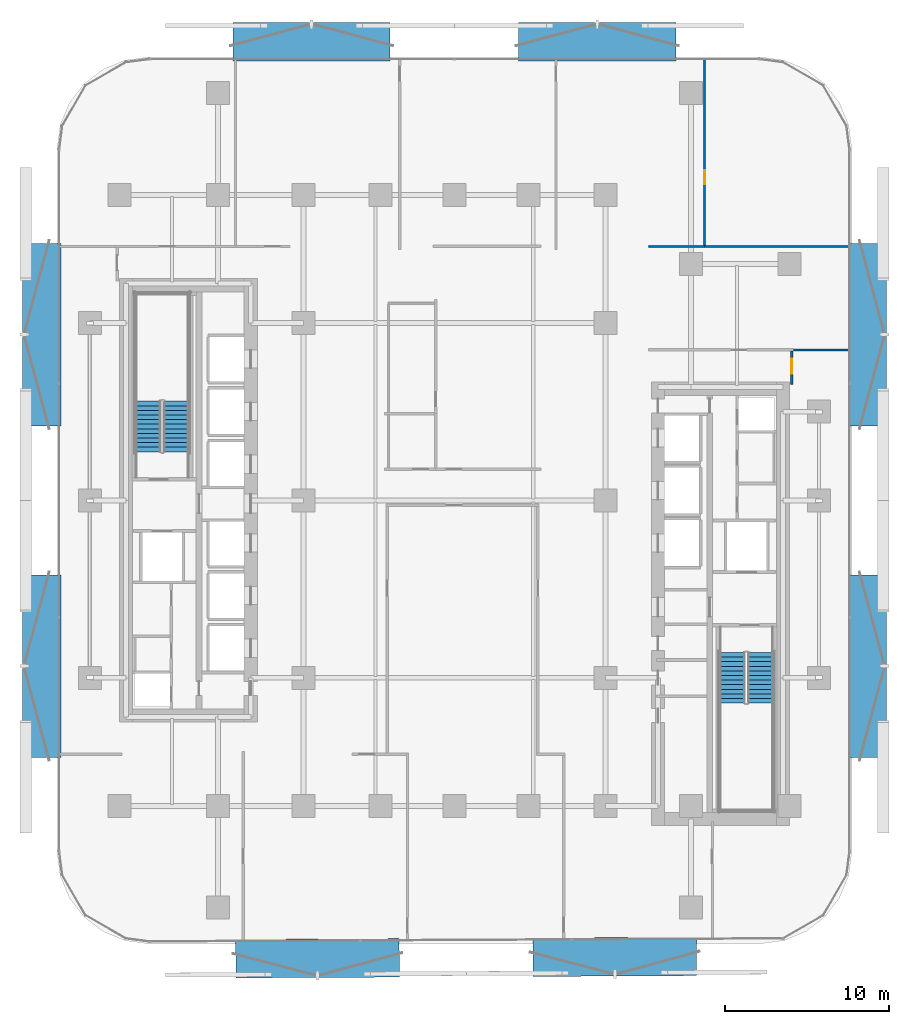
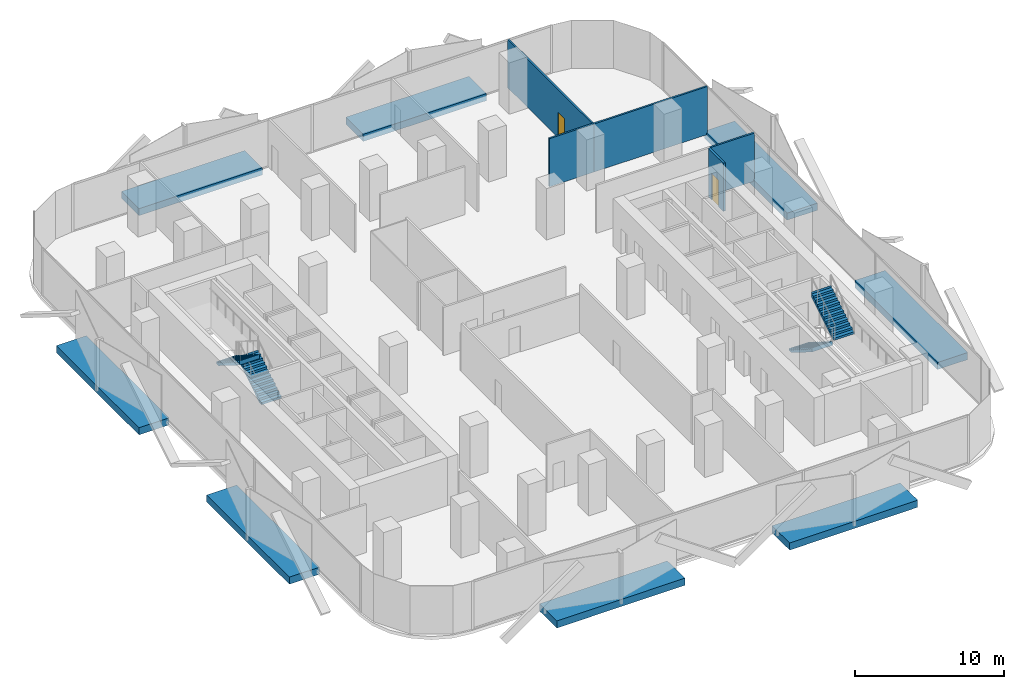
# One storey, part 6 of 15: 8 discrete accessories, 5 walls, 4 stair flights, 2 doors, 2 openings, 2 elements without a shape of their own.
"""IFC4 building model written with IfcOpenShell, lengths in metres."""

import ifcopenshell
import ifcopenshell.guid

model = None  # the IFC model being written
_history = None  # IfcOwnerHistory: only IFC2X3 demands one
_inside = {}  # id of a spatial element -> (the spatial element, [elements in it])
_under = {}  # id of a project, library or spatial element -> (it, [spatial elements below it])
_declared = {}  # id of a project -> (the project, [libraries it declares])
_typed = {}  # id of a type object -> (the type object, [elements of that type])
_made_of = {}  # id of a material, layer set ... -> (it, [elements and type objects made of it])


def new_model(schema):
    """Start an empty IFC model of exactly this schema.

    Asked for "IFC4X3", IfcOpenShell would pick the latest addendum, in which some entities
    have other attributes; the version numbers below select the first issue.
    IFC2X3 requires an IfcOwnerHistory on every rooted entity: one is made here for all.
    """
    global model, _history
    if schema == "IFC4X3":
        model = ifcopenshell.file(schema_version=(4, 3, 0, 0))
    else:
        model = ifcopenshell.file(schema=schema)
    _inside.clear()
    _under.clear()
    _declared.clear()
    _typed.clear()
    _made_of.clear()
    _history = None
    if model.schema == "IFC2X3":
        org = make("IfcOrganization", Name="unknown")
        user = make(
            "IfcPersonAndOrganization",
            ThePerson=make("IfcPerson", FamilyName="unknown"),
            TheOrganization=org,
        )
        app = make(
            "IfcApplication",
            ApplicationDeveloper=org,
            Version="unknown",
            ApplicationFullName="unknown",
            ApplicationIdentifier="unknown",
        )
        _history = make(
            "IfcOwnerHistory",
            OwningUser=user,
            OwningApplication=app,
            ChangeAction="ADDED",
            CreationDate=0,
        )
    return model


def make(cls, **values):
    """One entity of the class cls with the attributes given. An attribute that is None is left unset."""
    return model.create_entity(
        cls, **{name: value for name, value in values.items() if value is not None}
    )


def rooted(cls, **values):
    """An entity with a GlobalId (a new one), such as an element, a storey or a relation."""
    return make(cls, GlobalId=ifcopenshell.guid.new(), OwnerHistory=_history, **values)


def si_unit(unit_type, name, prefix=None):
    """IfcSIUnit, for example si_unit("LENGTHUNIT", "METRE", prefix="MILLI")."""
    return make("IfcSIUnit", UnitType=unit_type, Prefix=prefix, Name=name)


def assignment(units):
    """IfcUnitAssignment: the units of a project."""
    return None if units is None else make("IfcUnitAssignment", Units=units)


def point(xyz):
    """IfcCartesianPoint."""
    return None if xyz is None else make("IfcCartesianPoint", Coordinates=xyz)


def direction(xyz):
    """IfcDirection."""
    return None if xyz is None else make("IfcDirection", DirectionRatios=xyz)


def frame(location, z_axis=None, x_axis=None):
    """IfcAxis2Placement3D, a coordinate frame: its origin and axes. An axis left out is left unset."""
    return make(
        "IfcAxis2Placement3D",
        Location=point(location),
        Axis=direction(z_axis),
        RefDirection=direction(x_axis),
    )


def frame_2d(location, x_axis=None):
    """IfcAxis2Placement2D, a coordinate frame in the plane: its origin and x axis."""
    return make(
        "IfcAxis2Placement2D", Location=point(location), RefDirection=direction(x_axis)
    )


def origin():
    """The frame at (0, 0, 0) with its axes left unset."""
    return frame((0.0, 0.0, 0.0))


def origin_2d():
    """The frame at (0, 0) in the plane with its x axis left unset."""
    return frame_2d((0.0, 0.0))


def place(relative_to, where):
    """IfcLocalPlacement: puts the frame where relative to a parent placement (None: the world)."""
    return make(
        "IfcLocalPlacement", PlacementRelTo=relative_to, RelativePlacement=where
    )


def context(
    kind, dimensions, precision=None, world=None, true_north=None, identifier=None
):
    """IfcGeometricRepresentationContext, for example the 3D "Model" context."""
    return make(
        "IfcGeometricRepresentationContext",
        ContextIdentifier=identifier,
        ContextType=kind,
        CoordinateSpaceDimension=dimensions,
        Precision=precision,
        WorldCoordinateSystem=world,
        TrueNorth=true_north,
    )


def subcontext(parent, identifier, kind, view, scale=None):
    """IfcGeometricRepresentationSubContext, for example "Body" below "Model"."""
    return make(
        "IfcGeometricRepresentationSubContext",
        ContextIdentifier=identifier,
        ContextType=kind,
        ParentContext=parent,
        TargetScale=scale,
        TargetView=view,
    )


def project(units=None, contexts=None):
    """IfcProject with its units and contexts."""
    return rooted(
        "IfcProject",
        Name="project",
        RepresentationContexts=contexts,
        UnitsInContext=assignment(units),
    )


def spatial(cls, under=None, at=None, **own):
    """A site, building, storey or space (cls), placed at a placement, below another one or the project."""
    s = rooted(cls, ObjectPlacement=at, **own)
    if under is not None:
        _under.setdefault(under.id(), (under, []))[1].append(s)
    return s


def polyline(points):
    """IfcPolyline through the points."""
    return make("IfcPolyline", Points=[point(p) for p in points])


def profile(cls, at=None, kind="AREA", **sizes):
    """A parametric profile (cls). Its sizes go by their IFC names, for example OverallWidth=200.0."""
    return make(cls, ProfileType=kind, Position=at, **sizes)


def rectangle(**sizes):
    """IfcRectangleProfileDef."""
    return profile("IfcRectangleProfileDef", **sizes)


def outline(outer, holes=None, kind="AREA"):
    """IfcArbitraryClosedProfileDef: a profile drawn as a closed curve; with holes, ...WithVoids."""
    if holes is None:
        return make("IfcArbitraryClosedProfileDef", ProfileType=kind, OuterCurve=outer)
    return make(
        "IfcArbitraryProfileDefWithVoids",
        ProfileType=kind,
        OuterCurve=outer,
        InnerCurves=holes,
    )


def extrude(swept, where, along, depth):
    """IfcExtrudedAreaSolid: the profile swept, set in the frame where, extruded along a direction by depth."""
    return make(
        "IfcExtrudedAreaSolid",
        SweptArea=swept,
        Position=where,
        ExtrudedDirection=direction(along),
        Depth=depth,
    )


def shape(context_of_items, identifier, shape_type, items):
    """IfcShapeRepresentation: the items that make up one representation, for example the "Body"."""
    return make(
        "IfcShapeRepresentation",
        ContextOfItems=context_of_items,
        RepresentationIdentifier=identifier,
        RepresentationType=shape_type,
        Items=items,
    )


def material(Name=None, Category=None):
    """IfcMaterial."""
    return make("IfcMaterial", Name=Name, Category=Category)


def layer(
    of_material, thickness, ventilated=None, Name=None, Category=None, Priority=None
):
    """IfcMaterialLayer: one layer of a wall or slab, of a material (None: an air gap)."""
    return make(
        "IfcMaterialLayer",
        Material=of_material,
        LayerThickness=thickness,
        IsVentilated=ventilated,
        Name=Name,
        Category=Category,
        Priority=Priority,
    )


def layer_set(layers, Name=None):
    """IfcMaterialLayerSet."""
    return make("IfcMaterialLayerSet", MaterialLayers=layers, LayerSetName=Name)


def made_of(thing, what):
    """Note that an element or type object is made of a material, layer set ...; save() writes the relation."""
    if what is not None:
        _made_of.setdefault(what.id(), (what, []))[1].append(thing)
    return thing


def type_object(cls, material=None, **own):
    """A type object (cls), such as IfcWallType, which elements share."""
    return made_of(rooted(cls, **own), material)


def element(
    cls,
    number,
    at=None,
    inside=None,
    cuts=None,
    type_object=None,
    material=None,
    context=None,
    identifier="Body",
    shape_type=None,
    held_by="IfcProductDefinitionShape",
    body=None,
    shapes=None,
    **own,
):
    """One element of the class cls, such as IfcWall. Its Tag is "e" and its number.

    at: its placement. inside: the storey or other place that contains it. cuts: it is an
    opening in that element (IfcRelVoidsElement). A single representation is given by context,
    identifier, shape_type and body (its items); several are given by shapes. held_by: the class
    of the entity that holds the representations. save() writes the other relations.
    """
    e = rooted(cls, Tag="e%d" % number, ObjectPlacement=at, **own)
    if body is not None:
        shapes = [shape(context, identifier, shape_type, body)]
    if shapes is not None:
        e.Representation = make(held_by, Representations=shapes)
    if inside is not None:
        _inside.setdefault(inside.id(), (inside, []))[1].append(e)
    if cuts is not None:
        rooted(
            "IfcRelVoidsElement", RelatingBuildingElement=cuts, RelatedOpeningElement=e
        )
    if type_object is not None:
        _typed.setdefault(type_object.id(), (type_object, []))[1].append(e)
    return made_of(e, material)


def fill(opening, filler):
    """IfcRelFillsElement: the door or window that sits in an opening."""
    return rooted(
        "IfcRelFillsElement",
        RelatingOpeningElement=opening,
        RelatedBuildingElement=filler,
    )


def aggregate(whole, parts):
    """IfcRelAggregates: a whole, such as a stair, and the parts it consists of."""
    return rooted("IfcRelAggregates", RelatingObject=whole, RelatedObjects=parts)


def save(model, path):
    """Write the relations noted so far, then the file.

    IfcRelAggregates (storeys below a building ...), IfcRelContainedInSpatialStructure (elements
    in a storey), IfcRelDefinesByType, IfcRelAssociatesMaterial and IfcRelDeclares: one each for
    every whole, place, type object, material and project.
    """
    for whole, parts in _under.values():
        aggregate(whole, parts)
    for where, things in _inside.values():
        rooted(
            "IfcRelContainedInSpatialStructure",
            RelatedElements=things,
            RelatingStructure=where,
        )
    for kind, things in _typed.values():
        rooted("IfcRelDefinesByType", RelatedObjects=things, RelatingType=kind)
    for what, things in _made_of.values():
        rooted("IfcRelAssociatesMaterial", RelatedObjects=things, RelatingMaterial=what)
    for by, libraries in _declared.values():
        rooted("IfcRelDeclares", RelatingContext=by, RelatedDefinitions=libraries)
    model.write(path)


model = new_model("IFC4")

# Units and contexts
model_context = context("Model", 3, precision=1e-05, world=origin(), true_north=direction((0.0, 1.0)))
body_context = subcontext(model_context, "Body", "Model", "MODEL_VIEW")
ifc_project = project(units=[si_unit("LENGTHUNIT", "METRE"), si_unit("AREAUNIT", "SQUARE_METRE"), si_unit("VOLUMEUNIT", "CUBIC_METRE"), si_unit("PLANEANGLEUNIT", "RADIAN"), si_unit("MASSUNIT", "GRAM", prefix="KILO")], contexts=[model_context])

# Site, building, storey
site_placement = place(None, origin())
site = spatial("IfcSite", under=ifc_project, at=site_placement, CompositionType="ELEMENT")
building_placement = place(site_placement, origin())
building = spatial("IfcBuilding", under=site, at=building_placement, Name="Khairoan Windgate Tower", CompositionType="ELEMENT")
storey_placement = place(building_placement, frame((0.0, 0.0, 76.39990234375)))
storey = spatial("IfcBuildingStorey", under=building, at=storey_placement, Name="L18", CompositionType="ELEMENT", Elevation=76.39990234375)

# Walls
ifc_material_1 = material(Name="Acoustic Fire-Rated Gypsum Partition", Category="gypsum")
ifc_layer_1 = layer(ifc_material_1, 0.139892578125, Name="Acoustic Fire-Rated Gypsum Partition")
ifc_layer_set_1 = layer_set([ifc_layer_1], Name="Acoustic Fire-Rated Gypsum Partition")
wall_type_1 = type_object("IfcWallType", Name="Inter-Tenancy Compartment Wall", PredefinedType="PARTITIONING", material=ifc_layer_set_1)
wall_1_placement = place(storey_placement, frame((20.639892578125, 9.159912109375, 0.0), z_axis=(0.0, 0.0, 1.0), x_axis=(1.0, 0.0, 0.0)))
element("IfcWall", 1, at=wall_1_placement, inside=storey, type_object=wall_type_1, Name="L18 Interior Partition 028", PredefinedType="PARTITIONING", context=body_context, shape_type="SweptSolid", body=[
    extrude(rectangle(XDim=3.4150390625, YDim=0.139892578125, at=frame_2d((1.70751953125, 0.0))), origin(), (0.0, 0.0, 1.0), 3.940185546875),
])
wall_2_placement = place(storey_placement, frame((11.81005859375, 15.4599609375, 0.0), z_axis=(0.0, 0.0, 1.0), x_axis=(1.0, 0.0, 0.0)))
element("IfcWall", 2, at=wall_2_placement, inside=storey, type_object=wall_type_1, Name="L18 Interior Partition 029", PredefinedType="PARTITIONING", context=body_context, shape_type="SweptSolid", body=[
    extrude(rectangle(XDim=3.421875, YDim=0.139892578125, at=frame_2d((1.7109375, 0.0))), origin(), (0.0, 0.0, 1.0), 3.940185546875),
])
wall_3_placement = place(storey_placement, frame((15.23193359375, 15.4599609375, 0.0), z_axis=(0.0, 0.0, 1.0), x_axis=(1.0, 0.0, 0.0)))
element("IfcWall", 3, at=wall_3_placement, inside=storey, type_object=wall_type_1, Name="L18 Interior Partition 030", PredefinedType="PARTITIONING", context=body_context, shape_type="SweptSolid", body=[
    extrude(rectangle(XDim=8.822998046875, YDim=0.139892578125, at=frame_2d((4.41162109375, 0.0))), origin(), (0.0, 0.0, 1.0), 3.940185546875),
])

# Wall, opening, door
wall_4_placement = place(storey_placement, frame((15.23193359375, 15.530029296875, 0.0), z_axis=(0.0, 0.0, 1.0), x_axis=(0.0, 1.0, 0.0)))
wall_4 = element("IfcWall", 4, at=wall_4_placement, inside=storey, type_object=wall_type_1, Name="L18 Interior Partition 035", PredefinedType="PARTITIONING", context=body_context, shape_type="SweptSolid", body=[
    extrude(rectangle(XDim=11.324951171875, YDim=0.139892578125, at=frame_2d((5.66259765625, 0.0))), origin(), (0.0, 0.0, 1.0), 3.940185546875),
])
opening_1_placement = place(wall_4_placement, frame((3.712890625, 0.0, 0.0)))
opening_1 = element("IfcOpeningElement", 5, at=opening_1_placement, cuts=wall_4, Name="Opening FD-SRV", PredefinedType="OPENING", context=body_context, shape_type="SweptSolid", body=[
    extrude(rectangle(XDim=0.85009765625, YDim=2.10009765625, at=frame_2d((0.425048828125, 1.050048828125))), frame((0.0, 0.079833984375, 0.0), z_axis=(0.0, -1.0, 0.0), x_axis=(1.0, 0.0, 0.0)), (0.0, 0.0, 1.0), 0.159912109375),
])
ifc_material_2 = material(Name="Steel S355", Category="steel")
door_type_1 = type_object("IfcDoorType", Name="Core Service and Riser Fire Door FD-SRV 850x2100", OperationType="NOTDEFINED", PredefinedType="DOOR", material=ifc_material_2)
door_1_placement = place(opening_1_placement, origin())
door_1 = element("IfcDoor", 6, at=door_1_placement, inside=storey, type_object=door_type_1, Name="L18 L18-44-L18-45 Door", OperationType="SINGLE_SWING_LEFT", OverallHeight=2.10009765625, OverallWidth=0.85009765625, PredefinedType="DOOR", context=body_context, shape_type="SweptSolid", body=[
    extrude(rectangle(XDim=0.85009765625, YDim=2.10009765625, at=frame_2d((0.425048828125, 1.050048828125))), frame((0.0, 0.02490234375, 0.0), z_axis=(0.0, -1.0, 0.0), x_axis=(1.0, 0.0, 0.0)), (0.0, 0.0, 1.0), 0.050048828125),
])
fill(opening_1, door_1)

ifc_material_3 = material(Name="Acoustic Fire-Rated Gypsum Partition", Category="gypsum")
ifc_layer_2 = layer(ifc_material_3, 0.14990234375, Name="Acoustic Fire-Rated Gypsum Partition")
ifc_layer_set_2 = layer_set([ifc_layer_2], Name="Acoustic Fire-Rated Gypsum Partition")
wall_type_2 = type_object("IfcWallType", Name="Rated Corridor Partition Wall", PredefinedType="PARTITIONING", material=ifc_layer_set_2)
wall_5_placement = place(storey_placement, frame((20.5400390625, 7.06005859375, 0.0), z_axis=(0.0, 0.0, 1.0), x_axis=(0.0, 1.0, 0.0)))
wall_5 = element("IfcWall", 7, at=wall_5_placement, inside=storey, type_object=wall_type_2, Name="L18 Interior Partition 024", PredefinedType="PARTITIONING", context=body_context, shape_type="SweptSolid", body=[
    extrude(rectangle(XDim=2.02490234375, YDim=0.14990234375, at=frame_2d((1.012451171875, 0.0))), origin(), (0.0, 0.0, 1.0), 3.940185546875),
])
opening_2_placement = place(wall_5_placement, frame((0.6650390625, 0.0, 0.0)))
opening_2 = element("IfcOpeningElement", 8, at=opening_2_placement, cuts=wall_5, Name="Opening FD-ENT", PredefinedType="OPENING", context=body_context, shape_type="SweptSolid", body=[
    extrude(rectangle(XDim=0.89990234375, YDim=2.14990234375, at=frame_2d((0.449951171875, 1.074951171875))), frame((0.0, 0.0849609375, 0.0), z_axis=(0.0, -1.0, 0.0), x_axis=(1.0, 0.0, 0.0)), (0.0, 0.0, 1.0), 0.169921875),
])
ifc_material_4 = material(Name="Timber Fire-Rated Core", Category="wood")
door_type_2 = type_object("IfcDoorType", Name="Unit and Office Fire Entrance Door FD-ENT 900x2150", OperationType="NOTDEFINED", PredefinedType="DOOR", material=ifc_material_4)
door_2_placement = place(opening_2_placement, origin())
door_2 = element("IfcDoor", 9, at=door_2_placement, inside=storey, type_object=door_type_2, Name="L18 L18-37-L18-39 Door", OperationType="SINGLE_SWING_LEFT", OverallHeight=2.14990234375, OverallWidth=0.89990234375, PredefinedType="DOOR", context=body_context, shape_type="SweptSolid", body=[
    extrude(rectangle(XDim=0.89990234375, YDim=2.14990234375, at=frame_2d((0.449951171875, 1.074951171875))), frame((0.0, 0.02490234375, 0.0), z_axis=(0.0, -1.0, 0.0), x_axis=(1.0, 0.0, 0.0)), (0.0, 0.0, 1.0), 0.050048828125),
])
fill(opening_2, door_2)

# Stair, stair flights
ifc_material_5 = material(Name="Concrete C40/50", Category="concrete")
stair_type = type_object("IfcStairType", Name="Tower Core Dog-Leg Stair ST-T1 1560mm", PredefinedType="HALF_TURN_STAIR", material=ifc_material_5)
stair_1_placement = place(storey_placement, origin())
stair_1 = element("IfcStair", 10, at=stair_1_placement, inside=storey, type_object=stair_type, Name="L18 Stair ST1", PredefinedType="HALF_TURN_STAIR")
ifc_material_6 = material(Name="Concrete C40/50", Category="concrete")
ifc_layer_3 = layer(ifc_material_6, 0.14990234375, Name="Concrete C40/50")
ifc_layer_set_3 = layer_set([ifc_layer_3], Name="Concrete C40/50")
stair_flight_type = type_object("IfcStairFlightType", Name="Tower Core Stair Flight STF-1560", PredefinedType="STRAIGHT", material=ifc_layer_set_3)
stair_flight_1_placement = place(storey_placement, frame((16.929931640625, -9.260009765625, 0.0), z_axis=(0.0, 0.0, 1.0), x_axis=(0.0, -1.0, 0.0)))
stair_flight_1 = element("IfcStairFlight", 11, at=stair_flight_1_placement, type_object=stair_flight_type, Name="ST1 flight 1", NumberOfRisers=12, NumberOfTreads=11, PredefinedType="STRAIGHT", RiserHeight=0.175, TreadLength=0.28, context=body_context, shape_type="SweptSolid", body=[
    extrude(outline(polyline([(-0.00390625, 0.0), (-0.00390625, 0.175048828125), (0.0, 0.175048828125), (0.280029296875, 0.175048828125), (0.280029296875, 0.35009765625), (0.56005859375, 0.35009765625), (0.56005859375, 0.52490234375), (0.840087890625, 0.52490234375), (0.840087890625, 0.699951171875), (1.1201171875, 0.699951171875), (1.1201171875, 0.875), (1.39990234375, 0.875), (1.39990234375, 1.050048828125), (1.679931640625, 1.050048828125), (1.679931640625, 1.22509765625), (1.9599609375, 1.22509765625), (1.9599609375, 1.39990234375), (2.239990234375, 1.39990234375), (2.239990234375, 1.574951171875), (2.52001953125, 1.574951171875), (2.52001953125, 1.75), (2.800048828125, 1.75), (2.800048828125, 1.925048828125), (3.080078125, 1.925048828125), (3.080078125, 2.10009765625), (3.083984375, 2.10009765625), (3.083984375, 1.748291015625), (0.28271484375, 0.0), (-0.00390625, 0.0)])), frame((0.0, 0.780029296875, 0.0), z_axis=(0.0, -1.0, 0.0), x_axis=(1.0, 0.0, 0.0)), (0.0, 0.0, 1.0), 1.56005859375),
])
stair_flight_2_placement = place(storey_placement, frame((18.639892578125, -12.340087890625, 2.10009765625), z_axis=(0.0, 0.0, 1.0), x_axis=(0.0, 1.0, 0.0)))
stair_flight_2 = element("IfcStairFlight", 12, at=stair_flight_2_placement, type_object=stair_flight_type, Name="ST1 flight 2", NumberOfRisers=12, NumberOfTreads=11, PredefinedType="STRAIGHT", RiserHeight=0.175, TreadLength=0.28, context=body_context, shape_type="SweptSolid", body=[
    extrude(outline(polyline([(-0.00390625, 0.0), (-0.00390625, 0.175048828125), (0.0, 0.175048828125), (0.280029296875, 0.175048828125), (0.280029296875, 0.35009765625), (0.56005859375, 0.35009765625), (0.56005859375, 0.52490234375), (0.840087890625, 0.52490234375), (0.840087890625, 0.699951171875), (1.1201171875, 0.699951171875), (1.1201171875, 0.875), (1.39990234375, 0.875), (1.39990234375, 1.050048828125), (1.679931640625, 1.050048828125), (1.679931640625, 1.22509765625), (1.9599609375, 1.22509765625), (1.9599609375, 1.39990234375), (2.239990234375, 1.39990234375), (2.239990234375, 1.574951171875), (2.52001953125, 1.574951171875), (2.52001953125, 1.75), (2.800048828125, 1.75), (2.800048828125, 1.925048828125), (3.080078125, 1.925048828125), (3.080078125, 2.10009765625), (3.083984375, 2.10009765625), (3.083984375, 1.748291015625), (0.28271484375, 0.0), (-0.00390625, 0.0)])), frame((0.0, 0.780029296875, 0.0), z_axis=(0.0, -1.0, 0.0), x_axis=(1.0, 0.0, 0.0)), (0.0, 0.0, 1.0), 1.56005859375),
])
aggregate(stair_1, [stair_flight_1, stair_flight_2])

stair_2_placement = place(storey_placement, origin())
stair_2 = element("IfcStair", 13, at=stair_2_placement, inside=storey, type_object=stair_type, Name="L18 Stair ST2", PredefinedType="HALF_TURN_STAIR")
stair_flight_3_placement = place(storey_placement, frame((-16.929931640625, 2.9599609375, 0.0), z_axis=(0.0, 0.0, 1.0), x_axis=(0.0, 1.0, 0.0)))
stair_flight_3 = element("IfcStairFlight", 14, at=stair_flight_3_placement, type_object=stair_flight_type, Name="ST2 flight 1", NumberOfRisers=12, NumberOfTreads=11, PredefinedType="STRAIGHT", RiserHeight=0.175, TreadLength=0.28, context=body_context, shape_type="SweptSolid", body=[
    extrude(outline(polyline([(-0.00390625, 0.0), (-0.00390625, 0.175048828125), (0.0, 0.175048828125), (0.280029296875, 0.175048828125), (0.280029296875, 0.35009765625), (0.56005859375, 0.35009765625), (0.56005859375, 0.52490234375), (0.840087890625, 0.52490234375), (0.840087890625, 0.699951171875), (1.1201171875, 0.699951171875), (1.1201171875, 0.875), (1.39990234375, 0.875), (1.39990234375, 1.050048828125), (1.679931640625, 1.050048828125), (1.679931640625, 1.22509765625), (1.9599609375, 1.22509765625), (1.9599609375, 1.39990234375), (2.239990234375, 1.39990234375), (2.239990234375, 1.574951171875), (2.52001953125, 1.574951171875), (2.52001953125, 1.75), (2.800048828125, 1.75), (2.800048828125, 1.925048828125), (3.080078125, 1.925048828125), (3.080078125, 2.10009765625), (3.083984375, 2.10009765625), (3.083984375, 1.748291015625), (0.28271484375, 0.0), (-0.00390625, 0.0)])), frame((0.0, 0.780029296875, 0.0), z_axis=(0.0, -1.0, 0.0), x_axis=(1.0, 0.0, 0.0)), (0.0, 0.0, 1.0), 1.56005859375),
])
stair_flight_4_placement = place(storey_placement, frame((-18.639892578125, 6.0400390625, 2.10009765625), z_axis=(0.0, 0.0, 1.0), x_axis=(0.0, -1.0, 0.0)))
stair_flight_4 = element("IfcStairFlight", 15, at=stair_flight_4_placement, type_object=stair_flight_type, Name="ST2 flight 2", NumberOfRisers=12, NumberOfTreads=11, PredefinedType="STRAIGHT", RiserHeight=0.175, TreadLength=0.28, context=body_context, shape_type="SweptSolid", body=[
    extrude(outline(polyline([(-0.00390625, 0.0), (-0.00390625, 0.175048828125), (0.0, 0.175048828125), (0.280029296875, 0.175048828125), (0.280029296875, 0.35009765625), (0.56005859375, 0.35009765625), (0.56005859375, 0.52490234375), (0.840087890625, 0.52490234375), (0.840087890625, 0.699951171875), (1.1201171875, 0.699951171875), (1.1201171875, 0.875), (1.39990234375, 0.875), (1.39990234375, 1.050048828125), (1.679931640625, 1.050048828125), (1.679931640625, 1.22509765625), (1.9599609375, 1.22509765625), (1.9599609375, 1.39990234375), (2.239990234375, 1.39990234375), (2.239990234375, 1.574951171875), (2.52001953125, 1.574951171875), (2.52001953125, 1.75), (2.800048828125, 1.75), (2.800048828125, 1.925048828125), (3.080078125, 1.925048828125), (3.080078125, 2.10009765625), (3.083984375, 2.10009765625), (3.083984375, 1.748291015625), (0.28271484375, 0.0), (-0.00390625, 0.0)])), frame((0.0, 0.780029296875, 0.0), z_axis=(0.0, -1.0, 0.0), x_axis=(1.0, 0.0, 0.0)), (0.0, 0.0, 1.0), 1.56005859375),
])
aggregate(stair_2, [stair_flight_3, stair_flight_4])

# Discrete accessories
ifc_material_7 = material(Name="Steel S355", Category="steel")
discrete_accessory_type = type_object("IfcDiscreteAccessoryType", Name="Solar Screen Outrigger Slab Bracket SSB-1", PredefinedType="BRACKET", material=ifc_material_7)
for number, where, z_axis, x_axis, name in (
    (16, (9.76708984375, -27.79248046875, -0.419921875), (0.0, 0.0, 1.0), (-0.999988059021, -0.004886902454, 0.0), "L18 Solar Screen Outrigger Bracket 97"),
    (17, (-8.334716796875, -27.88037109375, -0.419921875), (0.0, 0.0, 1.0), (-0.999988059021, -0.004886902454, 0.0), "L18 Solar Screen Outrigger Bracket 98"),
):
    element("IfcDiscreteAccessory", number, at=place(storey_placement, frame(where, z_axis=z_axis, x_axis=x_axis)), inside=storey, type_object=discrete_accessory_type, Name=name, PredefinedType="BRACKET", context=body_context, shape_type="SweptSolid", body=[
        extrude(rectangle(XDim=9.9560546875, YDim=2.340087890625, at=origin_2d()), origin(), (0.0, 0.0, 1.0), 0.580078125),
    ])
for number, where, z_axis, x_axis, name in (
    (18, (-25.1298828125, -10.095458984375, -0.419921875), (0.0, 0.0, 1.0), (0.0, 1.0, 0.0), "L18 Solar Screen Outrigger Bracket 99"),
    (19, (-25.1298828125, 10.095458984375, -0.419921875), (0.0, 0.0, 1.0), (0.0, 1.0, 0.0), "L18 Solar Screen Outrigger Bracket 100"),
):
    element("IfcDiscreteAccessory", number, at=place(storey_placement, frame(where, z_axis=z_axis, x_axis=x_axis)), inside=storey, type_object=discrete_accessory_type, Name=name, PredefinedType="BRACKET", context=body_context, shape_type="SweptSolid", body=[
        extrude(rectangle(XDim=11.10498046875, YDim=2.340087890625, at=origin_2d()), origin(), (0.0, 0.0, 1.0), 0.580078125),
    ])
for number, where, z_axis, x_axis, name in (
    (20, (-8.6953125, 27.929931640625, -0.419921875), (0.0, 0.0, 1.0), (1.0, 0.0, 0.0), "L18 Solar Screen Outrigger Bracket 101"),
    (21, (8.6953125, 27.929931640625, -0.419921875), (0.0, 0.0, 1.0), (1.0, 0.0, 0.0), "L18 Solar Screen Outrigger Bracket 102"),
):
    element("IfcDiscreteAccessory", number, at=place(storey_placement, frame(where, z_axis=z_axis, x_axis=x_axis)), inside=storey, type_object=discrete_accessory_type, Name=name, PredefinedType="BRACKET", context=body_context, shape_type="SweptSolid", body=[
        extrude(rectangle(XDim=9.56494140625, YDim=2.340087890625, at=origin_2d()), origin(), (0.0, 0.0, 1.0), 0.580078125),
    ])
for number, where, z_axis, x_axis, name in (
    (22, (25.1298828125, 10.095458984375, -0.419921875), (0.0, 0.0, 1.0), (0.0, -1.0, 0.0), "L18 Solar Screen Outrigger Bracket 103"),
    (23, (25.1298828125, -10.095458984375, -0.419921875), (0.0, 0.0, 1.0), (0.0, -1.0, 0.0), "L18 Solar Screen Outrigger Bracket 104"),
):
    element("IfcDiscreteAccessory", number, at=place(storey_placement, frame(where, z_axis=z_axis, x_axis=x_axis)), inside=storey, type_object=discrete_accessory_type, Name=name, PredefinedType="BRACKET", context=body_context, shape_type="SweptSolid", body=[
        extrude(rectangle(XDim=11.10498046875, YDim=2.340087890625, at=origin_2d()), origin(), (0.0, 0.0, 1.0), 0.580078125),
    ])

save(model, "model.ifc")
